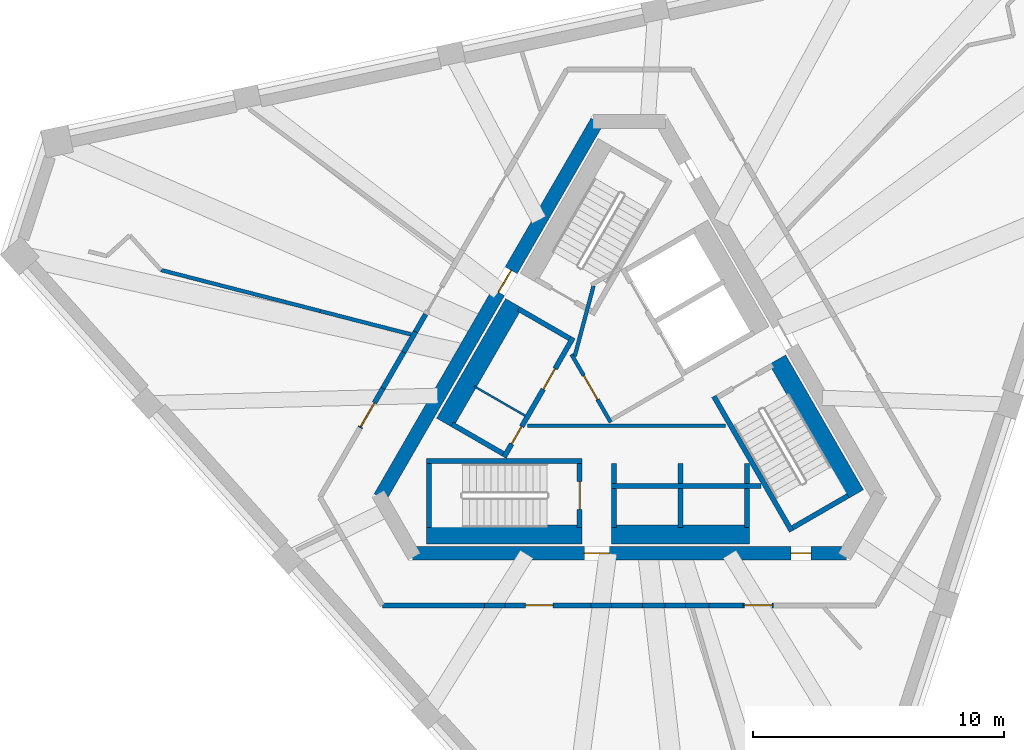
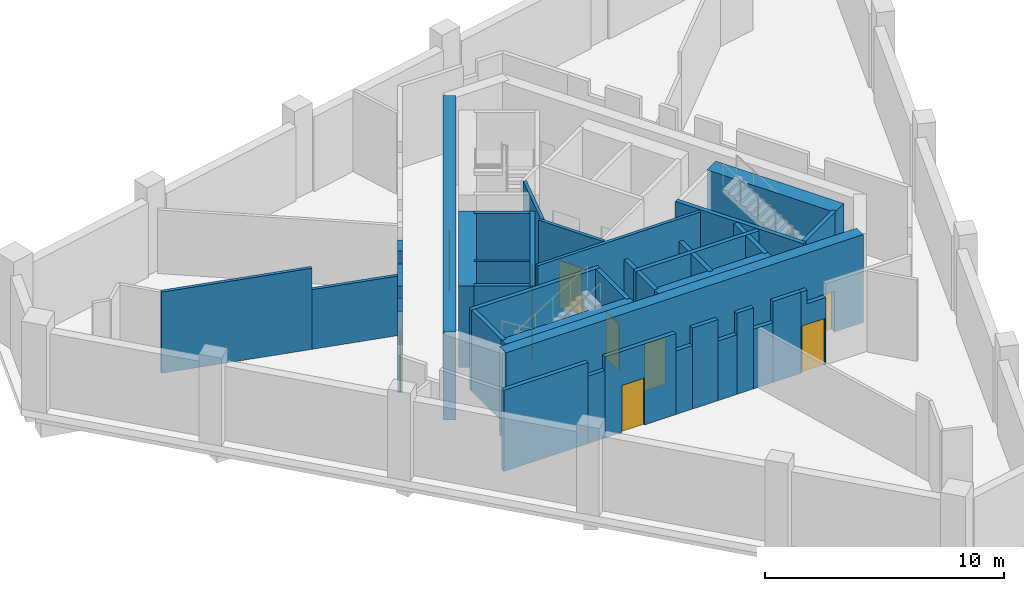
# One storey, part 2 of 5: 41 walls, 10 doors, 10 openings.
"""IFC4 building model written with IfcOpenShell, lengths in metres."""

from ifc_helpers import new_model, si_unit, direction, frame, frame_2d, origin, place, context, subcontext, project, spatial, polyline, rectangle, outline, extrude, material, layer, layer_set, type_object, element, fill, save


model = new_model("IFC4")

# Units and contexts
model_context = context("Model", 3, precision=1e-05, world=origin(), true_north=direction((0.0, 1.0)))
body_context = subcontext(model_context, "Body", "Model", "MODEL_VIEW")
ifc_project = project(units=[si_unit("LENGTHUNIT", "METRE"), si_unit("AREAUNIT", "SQUARE_METRE"), si_unit("VOLUMEUNIT", "CUBIC_METRE"), si_unit("PLANEANGLEUNIT", "RADIAN"), si_unit("MASSUNIT", "GRAM", prefix="KILO")], contexts=[model_context])

# Site, building, storey
site_placement = place(None, origin())
site = spatial("IfcSite", under=ifc_project, at=site_placement, CompositionType="ELEMENT")
building_placement = place(site_placement, origin())
building = spatial("IfcBuilding", under=site, at=building_placement, Name="Tramontana Tower", CompositionType="ELEMENT")
storey_placement = place(building_placement, frame((0.0, 0.0, 352.39990234375)))
storey = spatial("IfcBuildingStorey", under=building, at=storey_placement, Name="L81", CompositionType="ELEMENT", Elevation=352.39990234375)

# Wall, opening, door
ifc_material_1 = material(Name="Concrete 70 MPa", Category="concrete")
ifc_layer_1 = layer(ifc_material_1, 0.550048828125)
ifc_layer_set_1 = layer_set([ifc_layer_1], Name="Core wall 550 70 MPa")
wall_type_1 = type_object("IfcWallType", Name="Core wall 550 70 MPa", PredefinedType="SHEAR", material=ifc_layer_set_1)
wall_1_placement = place(storey_placement, frame((-1.28466796875, 10.72509765625, 0.0), z_axis=(0.0, 0.0, 1.0), x_axis=(-0.499994590896, -0.86602852671, 0.0)))
wall_1 = element("IfcWall", 1, at=wall_1_placement, inside=storey, type_object=wall_type_1, Name="Core wall C1 L81", PredefinedType="SHEAR", context=body_context, shape_type="SweptSolid", body=[
    extrude(rectangle(XDim=17.291748046875, YDim=0.550048828125, at=frame_2d((8.64599609375, 0.0))), origin(), (0.0, 0.0, 1.0), 4.5),
])
opening_1_placement = place(wall_1_placement, frame((6.850830078125, 0.0, 0.0)))
opening_1 = element("IfcOpeningElement", 2, at=opening_1_placement, cuts=wall_1, Name="Opening RG1", PredefinedType="OPENING", context=body_context, shape_type="SweptSolid", body=[
    extrude(rectangle(XDim=1.0, YDim=2.39990234375, at=frame_2d((0.5, 1.199951171875))), frame((0.0, 0.284912109375, 0.0), z_axis=(0.0, -1.0, 0.0), x_axis=(1.0, 0.0, 0.0)), (0.0, 0.0, 1.0), 0.570068359375),
])
ifc_material_2 = material(Name="Painted steel", Category="steel")
door_type_1 = type_object("IfcDoorType", Name="RING DOOR 1000", OperationType="SINGLE_SWING_LEFT", PredefinedType="DOOR", material=ifc_material_2)
door_1_placement = place(opening_1_placement, origin())
door_1 = element("IfcDoor", 3, at=door_1_placement, inside=storey, type_object=door_type_1, Name="Door RG1", OperationType="SINGLE_SWING_RIGHT", OverallHeight=2.39990234375, OverallWidth=1.0, PredefinedType="DOOR", context=body_context, shape_type="SweptSolid", body=[
    extrude(rectangle(XDim=1.0, YDim=2.39990234375, at=frame_2d((0.5, 1.199951171875))), frame((0.0, 0.02490234375, 0.0), z_axis=(0.0, -1.0, 0.0), x_axis=(1.0, 0.0, 0.0)), (0.0, 0.0, 1.0), 0.050048828125),
])
fill(opening_1, door_1)

# Wall, openings, doors
wall_2_placement = place(storey_placement, frame((-8.645751953125, -6.47509765625, 0.0), z_axis=(0.0, 0.0, 1.0), x_axis=(1.0, 0.0, 0.0)))
wall_2 = element("IfcWall", 4, at=wall_2_placement, inside=storey, type_object=wall_type_1, Name="Core wall C3 L81", PredefinedType="SHEAR", context=body_context, shape_type="SweptSolid", body=[
    extrude(rectangle(XDim=17.29150390625, YDim=0.550048828125, at=frame_2d((8.645751953125, 0.0))), origin(), (0.0, 0.0, 1.0), 4.5),
])
opening_2_placement = place(wall_2_placement, frame((6.850830078125, 0.0, 0.0)))
opening_2 = element("IfcOpeningElement", 5, at=opening_2_placement, cuts=wall_2, Name="Opening RG2", PredefinedType="OPENING", context=body_context, shape_type="SweptSolid", body=[
    extrude(rectangle(XDim=1.0, YDim=2.39990234375, at=frame_2d((0.5, 1.199951171875))), frame((0.0, 0.284912109375, 0.0), z_axis=(0.0, -1.0, 0.0), x_axis=(1.0, 0.0, 0.0)), (0.0, 0.0, 1.0), 0.570068359375),
])
opening_3_placement = place(wall_2_placement, frame((15.088623046875, 0.0, 0.0)))
opening_3 = element("IfcOpeningElement", 6, at=opening_3_placement, cuts=wall_2, Name="Opening PD2", PredefinedType="OPENING", context=body_context, shape_type="SweptSolid", body=[
    extrude(rectangle(XDim=0.800048828125, YDim=2.10009765625, at=frame_2d((0.39990234375, 1.050048828125))), frame((0.0, 0.284912109375, 0.0), z_axis=(0.0, -1.0, 0.0), x_axis=(1.0, 0.0, 0.0)), (0.0, 0.0, 1.0), 0.570068359375),
])
ifc_material_3 = material(Name="Painted steel", Category="steel")
door_type_2 = type_object("IfcDoorType", Name="CUPBOARD DOOR 800", OperationType="SINGLE_SWING_LEFT", PredefinedType="DOOR", material=ifc_material_3)
door_2_placement = place(opening_3_placement, origin())
door_2 = element("IfcDoor", 7, at=door_2_placement, inside=storey, type_object=door_type_2, Name="Door PD2", OperationType="SINGLE_SWING_LEFT", OverallHeight=2.10009765625, OverallWidth=0.800048828125, PredefinedType="DOOR", context=body_context, shape_type="SweptSolid", body=[
    extrude(rectangle(XDim=0.800048828125, YDim=2.10009765625, at=frame_2d((0.39990234375, 1.050048828125))), frame((0.0, 0.02490234375, 0.0), z_axis=(0.0, -1.0, 0.0), x_axis=(1.0, 0.0, 0.0)), (0.0, 0.0, 1.0), 0.050048828125),
])
fill(opening_3, door_2)
door_3_placement = place(opening_2_placement, origin())
door_3 = element("IfcDoor", 8, at=door_3_placement, inside=storey, type_object=door_type_1, Name="Door RG2", OperationType="SINGLE_SWING_LEFT", OverallHeight=2.39990234375, OverallWidth=1.0, PredefinedType="DOOR", context=body_context, shape_type="SweptSolid", body=[
    extrude(rectangle(XDim=1.0, YDim=2.39990234375, at=frame_2d((0.5, 1.199951171875))), frame((0.0, 0.02490234375, 0.0), z_axis=(0.0, -1.0, 0.0), x_axis=(1.0, 0.0, 0.0)), (0.0, 0.0, 1.0), 0.050048828125),
])
fill(opening_2, door_3)

# Wall, opening, door
ifc_material_4 = material(Name="Blockwork", Category="masonry")
ifc_layer_2 = layer(ifc_material_4, 0.199951171875)
ifc_layer_set_2 = layer_set([ifc_layer_2], Name="ENTRY WALL 200")
wall_type_2 = type_object("IfcWallType", Name="ENTRY WALL 200", PredefinedType="SOLIDWALL", material=ifc_layer_set_2)
wall_3_placement = place(storey_placement, frame((5.73291015625, -8.550048828125, 0.0), z_axis=(0.0, 0.0, 1.0), x_axis=(-1.0, 0.0, 0.0)))
wall_3 = element("IfcWall", 9, at=wall_3_placement, inside=storey, type_object=wall_type_2, Name="Wall ew1-1", PredefinedType="SOLIDWALL", context=body_context, shape_type="SweptSolid", body=[
    extrude(outline(polyline([(0.0, 0.0), (1.199951171875, 0.0), (1.199951171875, 4.150146484375), (0.904541015625, 4.150146484375), (0.904541015625, 3.4501953125), (0.0, 3.4501953125), (0.0, 0.0)])), frame((0.0, 0.10009765625, 0.0), z_axis=(0.0, -1.0, 0.0), x_axis=(1.0, 0.0, 0.0)), (0.0, 0.0, 1.0), 0.199951171875),
])
opening_4_placement = place(wall_3_placement, frame((0.050048828125, 0.0, 0.0)))
opening_4 = element("IfcOpeningElement", 10, at=opening_4_placement, cuts=wall_3, Name="Opening L81-05", PredefinedType="OPENING", context=body_context, shape_type="SweptSolid", body=[
    extrude(rectangle(XDim=1.10009765625, YDim=2.39990234375, at=frame_2d((0.550048828125, 1.199951171875))), frame((0.0, 0.10986328125, 0.0), z_axis=(0.0, -1.0, 0.0), x_axis=(1.0, 0.0, 0.0)), (0.0, 0.0, 1.0), 0.219970703125),
])
ifc_material_5 = material(Name="Painted timber", Category="wood")
door_type_3 = type_object("IfcDoorType", Name="DOOR ENTRY 1100", OperationType="SINGLE_SWING_LEFT", PredefinedType="DOOR", material=ifc_material_5)
door_4_placement = place(opening_4_placement, origin())
door_4 = element("IfcDoor", 11, at=door_4_placement, inside=storey, type_object=door_type_3, Name="Door L81-05", OperationType="SINGLE_SWING_LEFT", OverallHeight=2.39990234375, OverallWidth=1.10009765625, PredefinedType="DOOR", context=body_context, shape_type="SweptSolid", body=[
    extrude(rectangle(XDim=1.10009765625, YDim=2.39990234375, at=frame_2d((0.550048828125, 1.199951171875))), frame((0.0, 0.02490234375, 0.0), z_axis=(0.0, -1.0, 0.0), x_axis=(1.0, 0.0, 0.0)), (0.0, 0.0, 1.0), 0.050048828125),
])
fill(opening_4, door_4)

# Walls
wall_4_placement = place(storey_placement, frame((4.532958984375, -8.550048828125, 0.0), z_axis=(0.0, 0.0, 1.0), x_axis=(-1.0, 0.0, 0.0)))
element("IfcWall", 12, at=wall_4_placement, inside=storey, type_object=wall_type_2, Name="Wall ew1-2", PredefinedType="SOLIDWALL", context=body_context, shape_type="SweptSolid", body=[
    extrude(rectangle(XDim=1.360107421875, YDim=0.199951171875, at=frame_2d((0.68017578125, 0.0))), origin(), (0.0, 0.0, 1.0), 4.150146484375),
])
wall_5_placement = place(storey_placement, frame((3.1728515625, -8.550048828125, 0.0), z_axis=(0.0, 0.0, 1.0), x_axis=(-1.0, 0.0, 0.0)))
element("IfcWall", 13, at=wall_5_placement, inside=storey, type_object=wall_type_2, Name="Wall ew1-3", PredefinedType="SOLIDWALL", context=body_context, shape_type="SweptSolid", body=[
    extrude(rectangle(XDim=0.94384765625, YDim=0.199951171875, at=frame_2d((0.471923828125, 0.0))), origin(), (0.0, 0.0, 1.0), 3.050048828125),
])
wall_6_placement = place(storey_placement, frame((2.22900390625, -8.550048828125, 0.0), z_axis=(0.0, 0.0, 1.0), x_axis=(-1.0, 0.0, 0.0)))
element("IfcWall", 14, at=wall_6_placement, inside=storey, type_object=wall_type_2, Name="Wall ew1-4", PredefinedType="SOLIDWALL", context=body_context, shape_type="SweptSolid", body=[
    extrude(rectangle(XDim=0.806640625, YDim=0.199951171875, at=frame_2d((0.4033203125, 0.0))), origin(), (0.0, 0.0, 1.0), 4.150146484375),
])
wall_7_placement = place(storey_placement, frame((1.42236328125, -8.550048828125, 0.0), z_axis=(0.0, 0.0, 1.0), x_axis=(-1.0, 0.0, 0.0)))
element("IfcWall", 15, at=wall_7_placement, inside=storey, type_object=wall_type_2, Name="Wall ew1-5", PredefinedType="SOLIDWALL", context=body_context, shape_type="SweptSolid", body=[
    extrude(rectangle(XDim=0.90576171875, YDim=0.199951171875, at=frame_2d((0.452880859375, 0.0))), origin(), (0.0, 0.0, 1.0), 3.050048828125),
])
wall_8_placement = place(storey_placement, frame((0.5166015625, -8.550048828125, 0.0), z_axis=(0.0, 0.0, 1.0), x_axis=(-1.0, 0.0, 0.0)))
element("IfcWall", 16, at=wall_8_placement, inside=storey, type_object=wall_type_2, Name="Wall ew1-6", PredefinedType="SOLIDWALL", context=body_context, shape_type="SweptSolid", body=[
    extrude(rectangle(XDim=1.23828125, YDim=0.199951171875, at=frame_2d((0.619140625, 0.0))), origin(), (0.0, 0.0, 1.0), 4.150146484375),
])
wall_9_placement = place(storey_placement, frame((-0.7216796875, -8.550048828125, 0.0), z_axis=(0.0, 0.0, 1.0), x_axis=(-1.0, 0.0, 0.0)))
element("IfcWall", 17, at=wall_9_placement, inside=storey, type_object=wall_type_2, Name="Wall ew1-7", PredefinedType="SOLIDWALL", context=body_context, shape_type="SweptSolid", body=[
    extrude(rectangle(XDim=0.806884765625, YDim=0.199951171875, at=frame_2d((0.4033203125, 0.0))), origin(), (0.0, 0.0, 1.0), 3.25),
])

# Wall, opening, door
wall_10_placement = place(storey_placement, frame((-1.528564453125, -8.550048828125, 0.0), z_axis=(0.0, 0.0, 1.0), x_axis=(-1.0, 0.0, 0.0)))
wall_10 = element("IfcWall", 18, at=wall_10_placement, inside=storey, type_object=wall_type_2, Name="Wall ew1-8", PredefinedType="SOLIDWALL", context=body_context, shape_type="SweptSolid", body=[
    extrude(rectangle(XDim=3.423095703125, YDim=0.199951171875, at=frame_2d((1.71142578125, 0.0))), origin(), (0.0, 0.0, 1.0), 4.150146484375),
])
opening_5_placement = place(wall_10_placement, frame((1.509765625, 0.0, 0.0)))
opening_5 = element("IfcOpeningElement", 19, at=opening_5_placement, cuts=wall_10, Name="Opening L81-04", PredefinedType="OPENING", context=body_context, shape_type="SweptSolid", body=[
    extrude(rectangle(XDim=1.10009765625, YDim=2.39990234375, at=frame_2d((0.550048828125, 1.199951171875))), frame((0.0, 0.10986328125, 0.0), z_axis=(0.0, -1.0, 0.0), x_axis=(1.0, 0.0, 0.0)), (0.0, 0.0, 1.0), 0.219970703125),
])
door_5_placement = place(opening_5_placement, origin())
door_5 = element("IfcDoor", 20, at=door_5_placement, inside=storey, type_object=door_type_3, Name="Door L81-04", OperationType="SINGLE_SWING_RIGHT", OverallHeight=2.39990234375, OverallWidth=1.10009765625, PredefinedType="DOOR", context=body_context, shape_type="SweptSolid", body=[
    extrude(rectangle(XDim=1.10009765625, YDim=2.39990234375, at=frame_2d((0.550048828125, 1.199951171875))), frame((0.0, 0.02490234375, 0.0), z_axis=(0.0, -1.0, 0.0), x_axis=(1.0, 0.0, 0.0)), (0.0, 0.0, 1.0), 0.050048828125),
])
fill(opening_5, door_5)

# Walls
wall_11_placement = place(storey_placement, frame((-4.95166015625, -8.550048828125, 0.0), z_axis=(0.0, 0.0, 1.0), x_axis=(-1.0, 0.0, 0.0)))
element("IfcWall", 21, at=wall_11_placement, inside=storey, type_object=wall_type_2, Name="Wall ew1-9", PredefinedType="SOLIDWALL", context=body_context, shape_type="SweptSolid", body=[
    extrude(rectangle(XDim=0.826416015625, YDim=0.199951171875, at=frame_2d((0.4130859375, 0.0))), origin(), (0.0, 0.0, 1.0), 3.4501953125),
])
wall_12_placement = place(storey_placement, frame((-5.778076171875, -8.550048828125, 0.0), z_axis=(0.0, 0.0, 1.0), x_axis=(-1.0, 0.0, 0.0)))
element("IfcWall", 22, at=wall_12_placement, inside=storey, type_object=wall_type_2, Name="Wall ew1-10", PredefinedType="SOLIDWALL", context=body_context, shape_type="SweptSolid", body=[
    extrude(rectangle(XDim=4.065673828125, YDim=0.199951171875, at=frame_2d((2.03271484375, 0.0))), origin(), (0.0, 0.0, 1.0), 4.150146484375),
])

# Wall, opening, door
wall_13_placement = place(storey_placement, frame((-10.727294921875, -1.480224609375, 0.0), z_axis=(0.0, 0.0, 1.0), x_axis=(0.500040320227, 0.866002123639, 0.0)))
wall_13 = element("IfcWall", 23, at=wall_13_placement, inside=storey, type_object=wall_type_2, Name="Wall ew3-1", PredefinedType="SOLIDWALL", context=body_context, shape_type="SweptSolid", body=[
    extrude(outline(polyline([(0.0, 0.0), (1.817138671875, 0.0), (1.817138671875, 3.4501953125), (0.99609375, 3.4501953125), (0.99609375, 4.150146484375), (0.0, 4.150146484375), (0.0, 0.0)])), frame((0.0, 0.10009765625, 0.0), z_axis=(0.0, -1.0, 0.0), x_axis=(1.0, 0.0, 0.0)), (0.0, 0.0, 1.0), 0.199951171875),
])
opening_6_placement = place(wall_13_placement, frame((0.050048828125, 0.0, 0.0)))
opening_6 = element("IfcOpeningElement", 24, at=opening_6_placement, cuts=wall_13, Name="Opening L81-03", PredefinedType="OPENING", context=body_context, shape_type="SweptSolid", body=[
    extrude(rectangle(XDim=1.10009765625, YDim=2.39990234375, at=frame_2d((0.550048828125, 1.199951171875))), frame((0.0, 0.10986328125, 0.0), z_axis=(0.0, -1.0, 0.0), x_axis=(1.0, 0.0, 0.0)), (0.0, 0.0, 1.0), 0.219970703125),
])
door_6_placement = place(opening_6_placement, origin())
door_6 = element("IfcDoor", 25, at=door_6_placement, inside=storey, type_object=door_type_3, Name="Door L81-03", OperationType="SINGLE_SWING_LEFT", OverallHeight=2.39990234375, OverallWidth=1.10009765625, PredefinedType="DOOR", context=body_context, shape_type="SweptSolid", body=[
    extrude(rectangle(XDim=1.10009765625, YDim=2.39990234375, at=frame_2d((0.550048828125, 1.199951171875))), frame((0.0, 0.02490234375, 0.0), z_axis=(0.0, -1.0, 0.0), x_axis=(1.0, 0.0, 0.0)), (0.0, 0.0, 1.0), 0.050048828125),
])
fill(opening_6, door_6)

# Walls
wall_14_placement = place(storey_placement, frame((-9.818603515625, 0.093505859375, 0.0), z_axis=(0.0, 0.0, 1.0), x_axis=(0.49997779057, 0.866038226025, 0.0)))
element("IfcWall", 26, at=wall_14_placement, inside=storey, type_object=wall_type_2, Name="Wall ew3-2", PredefinedType="SOLIDWALL", context=body_context, shape_type="SweptSolid", body=[
    extrude(rectangle(XDim=1.6552734375, YDim=0.199951171875, at=frame_2d((0.82763671875, 0.0))), origin(), (0.0, 0.0, 1.0), 4.150146484375),
])
wall_15_placement = place(storey_placement, frame((-8.990966796875, 1.527099609375, 0.0), z_axis=(0.0, 0.0, 1.0), x_axis=(0.500006071987, 0.866021898093, 0.0)))
element("IfcWall", 27, at=wall_15_placement, inside=storey, type_object=wall_type_2, Name="Wall ew3-3", PredefinedType="SOLIDWALL", context=body_context, shape_type="SweptSolid", body=[
    extrude(rectangle(XDim=0.94384765625, YDim=0.199951171875, at=frame_2d((0.471923828125, 0.0))), origin(), (0.0, 0.0, 1.0), 3.050048828125),
])
wall_16_placement = place(storey_placement, frame((-8.51904296875, 2.344482421875, 0.0), z_axis=(0.0, 0.0, 1.0), x_axis=(0.499914554297, 0.866074730264, 0.0)))
element("IfcWall", 28, at=wall_16_placement, inside=storey, type_object=wall_type_2, Name="Wall ew3-4", PredefinedType="SOLIDWALL", context=body_context, shape_type="SweptSolid", body=[
    extrude(rectangle(XDim=0.806884765625, YDim=0.199951171875, at=frame_2d((0.4033203125, 0.0))), origin(), (0.0, 0.0, 1.0), 4.150146484375),
])

# Wall, opening, door
ifc_material_6 = material(Name="Gypsum board partition")
ifc_layer_3 = layer(ifc_material_6, 0.14990234375)
ifc_layer_set_3 = layer_set([ifc_layer_3], Name="PARTITION 150")
wall_type_3 = type_object("IfcWallType", Name="PARTITION 150", PredefinedType="PARTITIONING", material=ifc_layer_set_3)
wall_17_placement = place(storey_placement, frame((-0.744140625, -1.260986328125, 0.0), z_axis=(0.0, 0.0, 1.0), x_axis=(-0.500004234368, 0.866022959057, 0.0)))
wall_17 = element("IfcWall", 29, at=wall_17_placement, inside=storey, type_object=wall_type_3, Name="Wall ff-front", PredefinedType="PARTITIONING", context=body_context, shape_type="SweptSolid", body=[
    extrude(rectangle(XDim=3.125, YDim=0.14990234375, at=frame_2d((1.5625, 0.0))), origin(), (0.0, 0.0, 1.0), 4.150146484375),
])
opening_7_placement = place(wall_17_placement, frame((1.050048828125, 0.0, 0.0)))
opening_7 = element("IfcOpeningElement", 30, at=opening_7_placement, cuts=wall_17, Name="Opening FD1", PredefinedType="OPENING", context=body_context, shape_type="SweptSolid", body=[
    extrude(rectangle(XDim=1.10009765625, YDim=2.39990234375, at=frame_2d((0.550048828125, 1.199951171875))), frame((0.0, 0.0849609375, 0.0), z_axis=(0.0, -1.0, 0.0), x_axis=(1.0, 0.0, 0.0)), (0.0, 0.0, 1.0), 0.169921875),
])
door_7_placement = place(opening_7_placement, origin())
door_7 = element("IfcDoor", 31, at=door_7_placement, inside=storey, type_object=door_type_3, Name="Door FD1", OperationType="SINGLE_SWING_LEFT", OverallHeight=2.39990234375, OverallWidth=1.10009765625, PredefinedType="DOOR", context=body_context, shape_type="SweptSolid", body=[
    extrude(rectangle(XDim=1.10009765625, YDim=2.39990234375, at=frame_2d((0.550048828125, 1.199951171875))), frame((0.0, 0.02490234375, 0.0), z_axis=(0.0, -1.0, 0.0), x_axis=(1.0, 0.0, 0.0)), (0.0, 0.0, 1.0), 0.050048828125),
])
fill(opening_7, door_7)

# Walls
wall_18_placement = place(storey_placement, frame((-2.177978515625, 1.372314453125, 0.0), z_axis=(0.0, 0.0, 1.0), x_axis=(0.258808958833, 0.96592852884, 0.0)))
element("IfcWall", 32, at=wall_18_placement, inside=storey, type_object=wall_type_3, Name="Wall ff-diag", PredefinedType="PARTITIONING", context=body_context, shape_type="SweptSolid", body=[
    extrude(rectangle(XDim=2.902587890625, YDim=0.14990234375, at=frame_2d((1.451171875, 0.0))), origin(), (0.0, 0.0, 1.0), 4.150146484375),
])
wall_19_placement = place(storey_placement, frame((-4.053466796875, -1.39990234375, 0.0), z_axis=(0.0, 0.0, 1.0), x_axis=(1.0, 0.0, 0.0)))
element("IfcWall", 33, at=wall_19_placement, inside=storey, type_object=wall_type_3, Name="Wall hub-cut1", PredefinedType="PARTITIONING", context=body_context, shape_type="SweptSolid", body=[
    extrude(rectangle(XDim=7.8759765625, YDim=0.14990234375, at=frame_2d((3.93798828125, 0.0))), origin(), (0.0, 0.0, 1.0), 4.150146484375),
])
wall_20_placement = place(storey_placement, frame((-8.695556640625, 2.239013671875, 0.0), z_axis=(0.0, 0.0, 1.0), x_axis=(-0.968413242645, 0.249350739864, 0.0)))
element("IfcWall", 34, at=wall_20_placement, inside=storey, type_object=wall_type_3, Name="Wall fw-pw05-0", PredefinedType="PARTITIONING", context=body_context, shape_type="SweptSolid", body=[
    extrude(rectangle(XDim=3.7392578125, YDim=0.14990234375, at=frame_2d((1.86962890625, 0.0))), origin(), (0.0, 0.0, 1.0), 3.050048828125),
])
wall_21_placement = place(storey_placement, frame((-12.316650390625, 3.17138671875, 0.0), z_axis=(0.0, 0.0, 1.0), x_axis=(-0.9684026585, 0.249391842309, 0.0)))
element("IfcWall", 35, at=wall_21_placement, inside=storey, type_object=wall_type_3, Name="Wall fw-pw05-1", PredefinedType="PARTITIONING", context=body_context, shape_type="SweptSolid", body=[
    extrude(rectangle(XDim=6.546142578125, YDim=0.14990234375, at=frame_2d((3.27294921875, 0.0))), origin(), (0.0, 0.0, 1.0), 4.150146484375),
])
ifc_material_7 = material(Name="Gypsum board partition")
ifc_layer_4 = layer(ifc_material_7, 0.080078125)
ifc_layer_set_4 = layer_set([ifc_layer_4], Name="PARTITION 80")
wall_type_4 = type_object("IfcWallType", Name="PARTITION 80", PredefinedType="PARTITIONING", material=ifc_layer_set_4)
wall_22_placement = place(storey_placement, frame((-4.15478515625, -0.99609375, 0.0), z_axis=(0.0, 0.0, 1.0), x_axis=(-0.866016039709, 0.500016218704, 0.0)))
element("IfcWall", 36, at=wall_22_placement, inside=storey, type_object=wall_type_4, Name="Wall row0-split", PredefinedType="PARTITIONING", context=body_context, shape_type="SweptSolid", body=[
    extrude(rectangle(XDim=2.35009765625, YDim=0.080078125, at=frame_2d((1.175048828125, 0.0))), origin(), (0.0, 0.0, 1.0), 4.150146484375),
])
ifc_material_8 = material(Name="Concrete 70 MPa", Category="concrete")
ifc_layer_5 = layer(ifc_material_8, 0.75)
ifc_layer_set_5 = layer_set([ifc_layer_5], Name="Concrete 70 MPa, 750 mm")
wall_type_5 = type_object("IfcWallType", Name="RC SHAFT BACK WALL 750", PredefinedType="SOLIDWALL", material=ifc_layer_set_5)
wall_23_placement = place(storey_placement, frame((-8.080078125, -5.72509765625, 0.0), z_axis=(0.0, 0.0, 1.0), x_axis=(1.0, 0.0, 0.0)))
element("IfcWall", 37, at=wall_23_placement, inside=storey, type_object=wall_type_5, Name="Wall st2-back", PredefinedType="SOLIDWALL", context=body_context, shape_type="SweptSolid", body=[
    extrude(rectangle(XDim=6.2001953125, YDim=0.75, at=frame_2d((3.10009765625, 0.0))), origin(), (0.0, 0.0, 1.0), 4.150146484375),
])
wall_24_placement = place(storey_placement, frame((8.998046875, -4.135009765625, 0.0), z_axis=(0.0, 0.0, 1.0), x_axis=(-0.500009909098, 0.866019682689, 0.0)))
element("IfcWall", 38, at=wall_24_placement, inside=storey, type_object=wall_type_5, Name="Wall st3-back", PredefinedType="SOLIDWALL", context=body_context, shape_type="SweptSolid", body=[
    extrude(rectangle(XDim=6.199951171875, YDim=0.75, at=frame_2d((3.10009765625, 0.0))), origin(), (0.0, 0.0, 1.0), 4.150146484375),
])
wall_25_placement = place(storey_placement, frame((-4.60302734375, 3.477294921875, 0.0), z_axis=(0.0, 0.0, 1.0), x_axis=(-0.500015767406, -0.866016300277, 0.0)))
element("IfcWall", 39, at=wall_25_placement, inside=storey, type_object=wall_type_5, Name="Wall row0-back", PredefinedType="SOLIDWALL", context=body_context, shape_type="SweptSolid", body=[
    extrude(rectangle(XDim=5.499755859375, YDim=0.75, at=frame_2d((2.75, 0.0))), origin(), (0.0, 0.0, 1.0), 4.150146484375),
])
wall_26_placement = place(storey_placement, frame((-0.7099609375, -5.72509765625, 0.0), z_axis=(0.0, 0.0, 1.0), x_axis=(1.0, 0.0, 0.0)))
element("IfcWall", 40, at=wall_26_placement, inside=storey, type_object=wall_type_5, Name="Wall row1-back", PredefinedType="SOLIDWALL", context=body_context, shape_type="SweptSolid", body=[
    extrude(rectangle(XDim=5.5, YDim=0.75, at=frame_2d((2.75, 0.0))), origin(), (0.0, 0.0, 1.0), 4.150146484375),
])
ifc_material_9 = material(Name="Concrete 70 MPa", Category="concrete")
ifc_layer_6 = layer(ifc_material_9, 0.199951171875)
ifc_layer_set_6 = layer_set([ifc_layer_6], Name="Concrete 70 MPa, 200 mm")
wall_type_6 = type_object("IfcWallType", Name="RC STAIR AND SHAFT WALL 200", PredefinedType="SOLIDWALL", material=ifc_layer_set_6)
wall_27_placement = place(storey_placement, frame((-8.080078125, -2.800048828125, 0.0), z_axis=(0.0, 0.0, 1.0), x_axis=(1.0, 0.0, 0.0)))
element("IfcWall", 41, at=wall_27_placement, inside=storey, type_object=wall_type_6, Name="Wall st2-front", PredefinedType="SOLIDWALL", context=body_context, shape_type="SweptSolid", body=[
    extrude(rectangle(XDim=6.2001953125, YDim=0.199951171875, at=frame_2d((3.10009765625, 0.0))), origin(), (0.0, 0.0, 1.0), 4.150146484375),
])
wall_28_placement = place(storey_placement, frame((-7.97998046875, -2.89990234375, 0.0), z_axis=(0.0, 0.0, 1.0), x_axis=(0.0, -1.0, 0.0)))
element("IfcWall", 42, at=wall_28_placement, inside=storey, type_object=wall_type_6, Name="Wall st2-far", PredefinedType="SOLIDWALL", context=body_context, shape_type="SweptSolid", body=[
    extrude(rectangle(XDim=2.550048828125, YDim=0.199951171875, at=frame_2d((1.27490234375, 0.0))), origin(), (0.0, 0.0, 1.0), 4.150146484375),
])

# Wall, opening, door
wall_29_placement = place(storey_placement, frame((-1.97998046875, -2.89990234375, 0.0), z_axis=(0.0, 0.0, 1.0), x_axis=(0.0, -1.0, 0.0)))
wall_29 = element("IfcWall", 43, at=wall_29_placement, inside=storey, type_object=wall_type_6, Name="Wall st2-near", PredefinedType="SOLIDWALL", context=body_context, shape_type="SweptSolid", body=[
    extrude(rectangle(XDim=2.550048828125, YDim=0.199951171875, at=frame_2d((1.27490234375, 0.0))), origin(), (0.0, 0.0, 1.0), 4.150146484375),
])
opening_8_placement = place(wall_29_placement, frame((0.72509765625, 0.0, 0.0)))
opening_8 = element("IfcOpeningElement", 44, at=opening_8_placement, cuts=wall_29, Name="Opening SD2", PredefinedType="OPENING", context=body_context, shape_type="SweptSolid", body=[
    extrude(rectangle(XDim=1.10009765625, YDim=2.39990234375, at=frame_2d((0.550048828125, 1.199951171875))), frame((0.0, 0.10986328125, 0.0), z_axis=(0.0, -1.0, 0.0), x_axis=(1.0, 0.0, 0.0)), (0.0, 0.0, 1.0), 0.219970703125),
])
ifc_material_10 = material(Name="Painted steel", Category="steel")
door_type_4 = type_object("IfcDoorType", Name="STAIR DOOR 1100", OperationType="SINGLE_SWING_LEFT", PredefinedType="DOOR", material=ifc_material_10)
door_8_placement = place(opening_8_placement, origin())
door_8 = element("IfcDoor", 45, at=door_8_placement, inside=storey, type_object=door_type_4, Name="Door SD2", OperationType="SINGLE_SWING_LEFT", OverallHeight=2.39990234375, OverallWidth=1.10009765625, PredefinedType="DOOR", context=body_context, shape_type="SweptSolid", body=[
    extrude(rectangle(XDim=1.10009765625, YDim=2.39990234375, at=frame_2d((0.550048828125, 1.199951171875))), frame((0.0, 0.02490234375, 0.0), z_axis=(0.0, -1.0, 0.0), x_axis=(1.0, 0.0, 0.0)), (0.0, 0.0, 1.0), 0.050048828125),
])
fill(opening_8, door_8)

# Walls
wall_30_placement = place(storey_placement, frame((6.46484375, -5.597412109375, 0.0), z_axis=(0.0, 0.0, 1.0), x_axis=(-0.49998037582, 0.866036733513, 0.0)))
element("IfcWall", 46, at=wall_30_placement, inside=storey, type_object=wall_type_6, Name="Wall st3-front", PredefinedType="SOLIDWALL", context=body_context, shape_type="SweptSolid", body=[
    extrude(rectangle(XDim=6.199951171875, YDim=0.199951171875, at=frame_2d((3.10009765625, 0.0))), origin(), (0.0, 0.0, 1.0), 4.150146484375),
])
wall_31_placement = place(storey_placement, frame((6.50146484375, -5.4609375, 0.0), z_axis=(0.0, 0.0, 1.0), x_axis=(0.865989465428, 0.500062241894, 0.0)))
element("IfcWall", 47, at=wall_31_placement, inside=storey, type_object=wall_type_6, Name="Wall st3-far", PredefinedType="SOLIDWALL", context=body_context, shape_type="SweptSolid", body=[
    extrude(rectangle(XDim=2.550048828125, YDim=0.199951171875, at=frame_2d((1.27490234375, 0.0))), origin(), (0.0, 0.0, 1.0), 4.150146484375),
])

# Wall, openings, doors
wall_32_placement = place(storey_placement, frame((-4.9931640625, -2.648193359375, 0.0), z_axis=(0.0, 0.0, 1.0), x_axis=(0.499996545922, 0.866027397988, 0.0)))
wall_32 = element("IfcWall", 48, at=wall_32_placement, inside=storey, type_object=wall_type_6, Name="Wall row0-front", PredefinedType="SOLIDWALL", context=body_context, shape_type="SweptSolid", body=[
    extrude(rectangle(XDim=5.5, YDim=0.199951171875, at=frame_2d((2.75, 0.0))), origin(), (0.0, 0.0, 1.0), 4.150146484375),
])
opening_9_placement = place(wall_32_placement, frame((3.1201171875, 0.0, 0.0)))
opening_9 = element("IfcOpeningElement", 49, at=opening_9_placement, cuts=wall_32, Name="Opening RD-0A", PredefinedType="OPENING", context=body_context, shape_type="SweptSolid", body=[
    extrude(rectangle(XDim=0.949951171875, YDim=2.39990234375, at=frame_2d((0.47509765625, 1.199951171875))), frame((0.0, 0.10986328125, 0.0), z_axis=(0.0, -1.0, 0.0), x_axis=(1.0, 0.0, 0.0)), (0.0, 0.0, 1.0), 0.219970703125),
])
opening_10_placement = place(wall_32_placement, frame((0.60498046875, 0.0, 0.0)))
opening_10 = element("IfcOpeningElement", 50, at=opening_10_placement, cuts=wall_32, Name="Opening RD-0B", PredefinedType="OPENING", context=body_context, shape_type="SweptSolid", body=[
    extrude(rectangle(XDim=0.800048828125, YDim=2.10009765625, at=frame_2d((0.39990234375, 1.050048828125))), frame((0.0, 0.10986328125, 0.0), z_axis=(0.0, -1.0, 0.0), x_axis=(1.0, 0.0, 0.0)), (0.0, 0.0, 1.0), 0.219970703125),
])
door_9_placement = place(opening_10_placement, origin())
door_9 = element("IfcDoor", 51, at=door_9_placement, inside=storey, type_object=door_type_2, Name="Door RD-0B", OperationType="SINGLE_SWING_RIGHT", OverallHeight=2.10009765625, OverallWidth=0.800048828125, PredefinedType="DOOR", context=body_context, shape_type="SweptSolid", body=[
    extrude(rectangle(XDim=0.800048828125, YDim=2.10009765625, at=frame_2d((0.39990234375, 1.050048828125))), frame((0.0, 0.02490234375, 0.0), z_axis=(0.0, -1.0, 0.0), x_axis=(1.0, 0.0, 0.0)), (0.0, 0.0, 1.0), 0.050048828125),
])
fill(opening_10, door_9)
ifc_material_11 = material(Name="Painted timber", Category="wood")
door_type_5 = type_object("IfcDoorType", Name="DOOR ROOM 950", OperationType="SINGLE_SWING_LEFT", PredefinedType="DOOR", material=ifc_material_11)
door_10_placement = place(opening_9_placement, origin())
door_10 = element("IfcDoor", 52, at=door_10_placement, inside=storey, type_object=door_type_5, Name="Door RD-0A", OperationType="SINGLE_SWING_LEFT", OverallHeight=2.39990234375, OverallWidth=0.949951171875, PredefinedType="DOOR", context=body_context, shape_type="SweptSolid", body=[
    extrude(rectangle(XDim=0.949951171875, YDim=2.39990234375, at=frame_2d((0.47509765625, 1.199951171875))), frame((0.0, 0.02490234375, 0.0), z_axis=(0.0, -1.0, 0.0), x_axis=(1.0, 0.0, 0.0)), (0.0, 0.0, 1.0), 0.050048828125),
])
fill(opening_9, door_10)

# Walls
wall_33_placement = place(storey_placement, frame((-2.379638671875, 2.078369140625, 0.0), z_axis=(0.0, 0.0, 1.0), x_axis=(-0.866061024631, 0.499938297808, 0.0)))
element("IfcWall", 53, at=wall_33_placement, inside=storey, type_object=wall_type_6, Name="Wall row0-side0", PredefinedType="SOLIDWALL", context=body_context, shape_type="SweptSolid", body=[
    extrude(rectangle(XDim=2.349853515625, YDim=0.199951171875, at=frame_2d((1.1748046875, 0.0))), origin(), (0.0, 0.0, 1.0), 4.150146484375),
])
wall_34_placement = place(storey_placement, frame((-5.02978515625, -2.51171875, 0.0), z_axis=(0.0, 0.0, 1.0), x_axis=(-0.866016039709, 0.500016218704, 0.0)))
element("IfcWall", 54, at=wall_34_placement, inside=storey, type_object=wall_type_6, Name="Wall row0-side2", PredefinedType="SOLIDWALL", context=body_context, shape_type="SweptSolid", body=[
    extrude(rectangle(XDim=2.35009765625, YDim=0.199951171875, at=frame_2d((1.175048828125, 0.0))), origin(), (0.0, 0.0, 1.0), 4.150146484375),
])
wall_35_placement = place(storey_placement, frame((-0.7099609375, -3.800048828125, 0.0), z_axis=(0.0, 0.0, 1.0), x_axis=(1.0, 0.0, 0.0)))
element("IfcWall", 55, at=wall_35_placement, inside=storey, type_object=wall_type_6, Name="Wall row1-front", PredefinedType="SOLIDWALL", context=body_context, shape_type="SweptSolid", body=[
    extrude(rectangle(XDim=5.96142578125, YDim=0.199951171875, at=frame_2d((2.980712890625, 0.0))), origin(), (0.0, 0.0, 1.0), 4.150146484375),
])
wall_36_placement = place(storey_placement, frame((-0.610107421875, -3.89990234375, 0.0), z_axis=(0.0, 0.0, 1.0), x_axis=(0.0, -1.0, 0.0)))
element("IfcWall", 56, at=wall_36_placement, inside=storey, type_object=wall_type_6, Name="Wall row1-side0", PredefinedType="SOLIDWALL", context=body_context, shape_type="SweptSolid", body=[
    extrude(rectangle(XDim=1.550048828125, YDim=0.199951171875, at=frame_2d((0.77490234375, 0.0))), origin(), (0.0, 0.0, 1.0), 4.150146484375),
])
wall_37_placement = place(storey_placement, frame((-0.610107421875, -2.89990234375, 0.0), z_axis=(0.0, 0.0, 1.0), x_axis=(0.0, -1.0, 0.0)))
element("IfcWall", 57, at=wall_37_placement, inside=storey, type_object=wall_type_6, Name="Wall row1-side0-ret", PredefinedType="SOLIDWALL", context=body_context, shape_type="SweptSolid", body=[
    extrude(rectangle(XDim=0.800048828125, YDim=0.199951171875, at=frame_2d((0.39990234375, 0.0))), origin(), (0.0, 0.0, 1.0), 4.150146484375),
])
wall_38_placement = place(storey_placement, frame((2.0400390625, -3.89990234375, 0.0), z_axis=(0.0, 0.0, 1.0), x_axis=(0.0, -1.0, 0.0)))
element("IfcWall", 58, at=wall_38_placement, inside=storey, type_object=wall_type_6, Name="Wall row1-side1", PredefinedType="SOLIDWALL", context=body_context, shape_type="SweptSolid", body=[
    extrude(rectangle(XDim=1.550048828125, YDim=0.199951171875, at=frame_2d((0.77490234375, 0.0))), origin(), (0.0, 0.0, 1.0), 4.150146484375),
])
wall_39_placement = place(storey_placement, frame((2.0400390625, -2.89990234375, 0.0), z_axis=(0.0, 0.0, 1.0), x_axis=(0.0, -1.0, 0.0)))
element("IfcWall", 59, at=wall_39_placement, inside=storey, type_object=wall_type_6, Name="Wall row1-side1-ret", PredefinedType="SOLIDWALL", context=body_context, shape_type="SweptSolid", body=[
    extrude(rectangle(XDim=0.800048828125, YDim=0.199951171875, at=frame_2d((0.39990234375, 0.0))), origin(), (0.0, 0.0, 1.0), 4.150146484375),
])
wall_40_placement = place(storey_placement, frame((4.68994140625, -3.89990234375, 0.0), z_axis=(0.0, 0.0, 1.0), x_axis=(0.0, -1.0, 0.0)))
element("IfcWall", 60, at=wall_40_placement, inside=storey, type_object=wall_type_6, Name="Wall row1-side2", PredefinedType="SOLIDWALL", context=body_context, shape_type="SweptSolid", body=[
    extrude(rectangle(XDim=1.550048828125, YDim=0.199951171875, at=frame_2d((0.77490234375, 0.0))), origin(), (0.0, 0.0, 1.0), 4.150146484375),
])
wall_41_placement = place(storey_placement, frame((4.68994140625, -2.89990234375, 0.0), z_axis=(0.0, 0.0, 1.0), x_axis=(0.0, -1.0, 0.0)))
element("IfcWall", 61, at=wall_41_placement, inside=storey, type_object=wall_type_6, Name="Wall row1-side2-ret", PredefinedType="SOLIDWALL", context=body_context, shape_type="SweptSolid", body=[
    extrude(rectangle(XDim=0.800048828125, YDim=0.199951171875, at=frame_2d((0.39990234375, 0.0))), origin(), (0.0, 0.0, 1.0), 4.150146484375),
])

save(model, "model.ifc")
